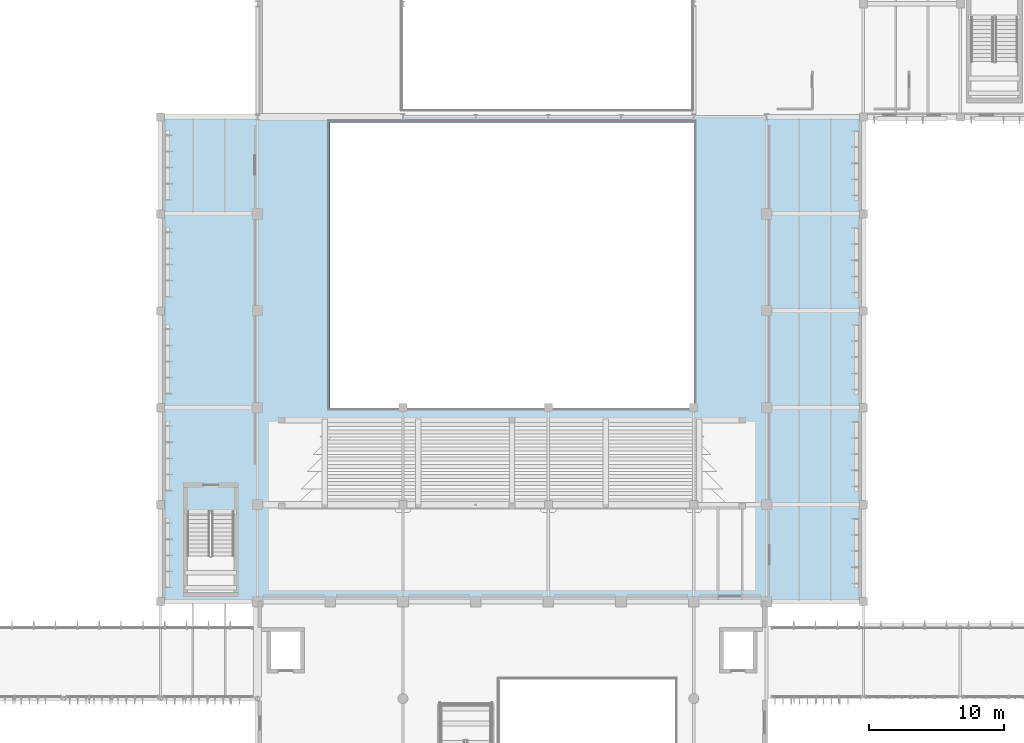
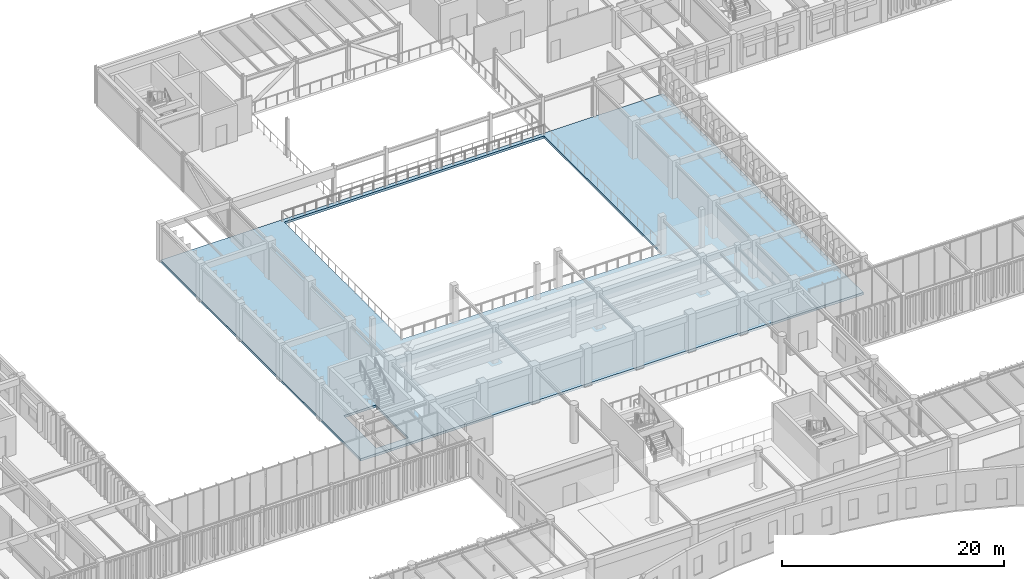
# One storey, part 26 of 122: 1 slab.
"""IFC4 building model written with IfcOpenShell, lengths in metres."""

from ifc_helpers import new_model, si_unit, direction, frame, origin, place, context, subcontext, project, spatial, polyline, outline, extrude, material, layer, layer_set, type_object, element, save


model = new_model("IFC4")

# Units and contexts
model_context = context("Model", 3, precision=1e-05, world=origin(), true_north=direction((0.0, 1.0)))
body_context = subcontext(model_context, "Body", "Model", "MODEL_VIEW")
ifc_project = project(units=[si_unit("LENGTHUNIT", "METRE"), si_unit("AREAUNIT", "SQUARE_METRE"), si_unit("VOLUMEUNIT", "CUBIC_METRE"), si_unit("PLANEANGLEUNIT", "RADIAN"), si_unit("MASSUNIT", "GRAM", prefix="KILO")], contexts=[model_context])

# Site, building, storey
site_placement = place(None, origin())
site = spatial("IfcSite", under=ifc_project, at=site_placement, CompositionType="ELEMENT")
building_placement = place(site_placement, origin())
building = spatial("IfcBuilding", under=site, at=building_placement, Name="Tazoul Stagehouse", CompositionType="ELEMENT")
storey_placement = place(building_placement, frame((0.0, 0.0, 4.800048828125)))
storey = spatial("IfcBuildingStorey", under=building, at=storey_placement, Name="L01", CompositionType="ELEMENT", Elevation=4.800048828125)

# Slab
ifc_material = material(Name="Concrete C35/45", Category="concrete")
ifc_layer = layer(ifc_material, 0.260009765625, Name="Concrete C35/45")
ifc_layer_set = layer_set([ifc_layer], Name="Concrete C35/45")
slab_type = type_object("IfcSlabType", Name="Suspended Floor Slab 260", PredefinedType="FLOOR", material=ifc_layer_set)
slab_placement = place(storey_placement, frame((0.0, 0.0, -0.260009765625)))
element("IfcSlab", 1, at=slab_placement, inside=storey, type_object=slab_type, Name="L01 Suspended Floor Slab 260 (V1)", PredefinedType="FLOOR", context=body_context, shape_type="SweptSolid", body=[
    extrude(outline(polyline([(50.39990234375, 51.800048828125), (50.39990234375, 87.800048828125), (102.60009765625, 87.800048828125), (102.60009765625, 51.800048828125), (50.39990234375, 51.800048828125)]), holes=[polyline([(55.7900390625, 52.550048828125), (52.4599609375, 52.550048828125), (52.4599609375, 58.429931640625), (55.7900390625, 58.429931640625), (55.7900390625, 52.550048828125)]), polyline([(63.0, 87.39990234375), (90.0, 87.39990234375), (90.0, 66.199951171875), (63.0, 66.199951171875), (63.0, 87.39990234375)])]), origin(), (0.0, 0.0, 1.0), 0.260009765625),
])

save(model, "model.ifc")
